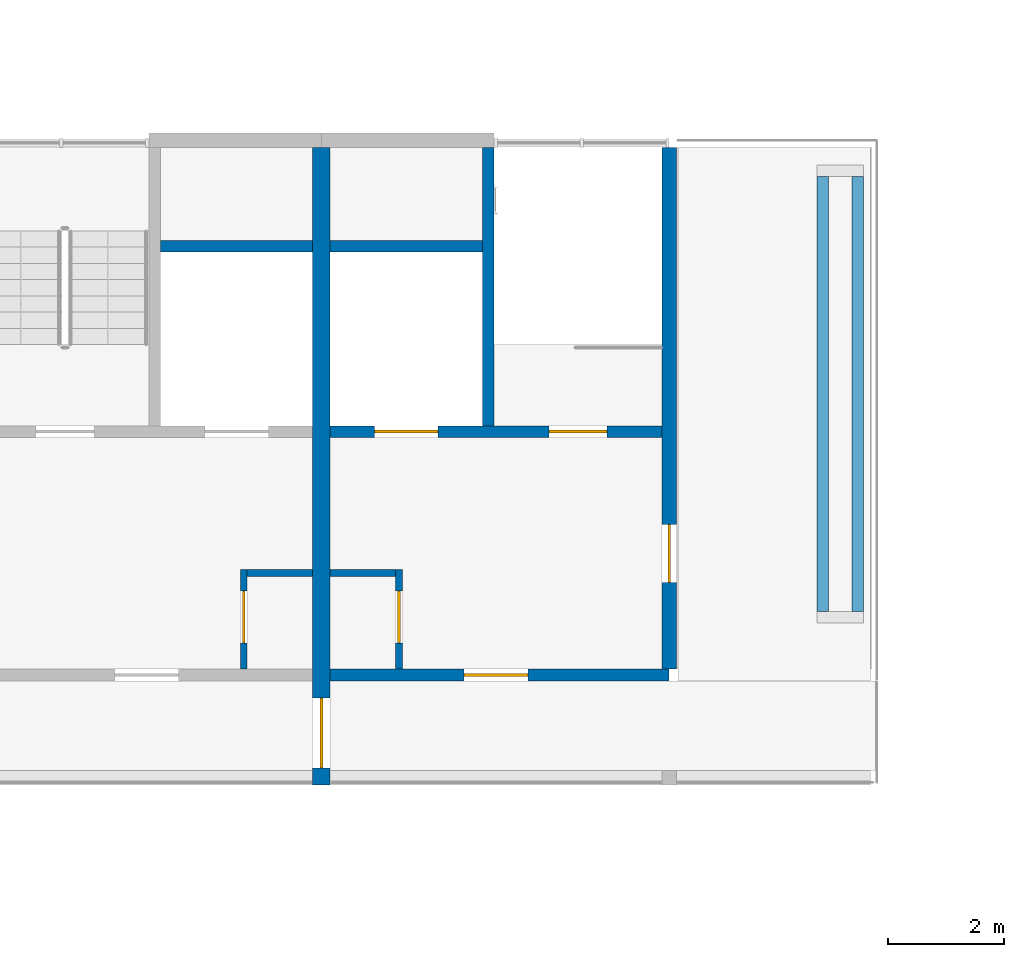
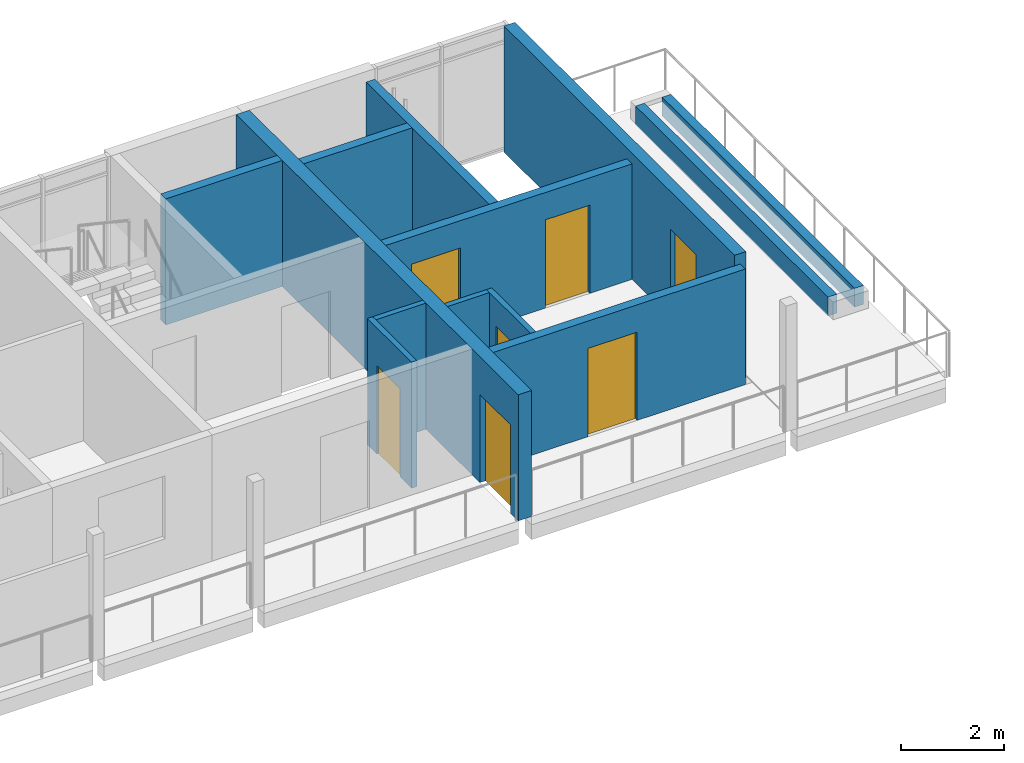
# One storey, part 58 of 87: 13 walls, 7 doors, 7 openings.
"""IFC4 building model written with IfcOpenShell, lengths in metres."""

import ifcopenshell
import ifcopenshell.guid

model = None  # the IFC model being written
_history = None  # IfcOwnerHistory: only IFC2X3 demands one
_inside = {}  # id of a spatial element -> (the spatial element, [elements in it])
_under = {}  # id of a project, library or spatial element -> (it, [spatial elements below it])
_declared = {}  # id of a project -> (the project, [libraries it declares])
_typed = {}  # id of a type object -> (the type object, [elements of that type])
_made_of = {}  # id of a material, layer set ... -> (it, [elements and type objects made of it])


def new_model(schema):
    """Start an empty IFC model of exactly this schema.

    Asked for "IFC4X3", IfcOpenShell would pick the latest addendum, in which some entities
    have other attributes; the version numbers below select the first issue.
    IFC2X3 requires an IfcOwnerHistory on every rooted entity: one is made here for all.
    """
    global model, _history
    if schema == "IFC4X3":
        model = ifcopenshell.file(schema_version=(4, 3, 0, 0))
    else:
        model = ifcopenshell.file(schema=schema)
    _inside.clear()
    _under.clear()
    _declared.clear()
    _typed.clear()
    _made_of.clear()
    _history = None
    if model.schema == "IFC2X3":
        org = make("IfcOrganization", Name="unknown")
        user = make(
            "IfcPersonAndOrganization",
            ThePerson=make("IfcPerson", FamilyName="unknown"),
            TheOrganization=org,
        )
        app = make(
            "IfcApplication",
            ApplicationDeveloper=org,
            Version="unknown",
            ApplicationFullName="unknown",
            ApplicationIdentifier="unknown",
        )
        _history = make(
            "IfcOwnerHistory",
            OwningUser=user,
            OwningApplication=app,
            ChangeAction="ADDED",
            CreationDate=0,
        )
    return model


def make(cls, **values):
    """One entity of the class cls with the attributes given. An attribute that is None is left unset."""
    return model.create_entity(
        cls, **{name: value for name, value in values.items() if value is not None}
    )


def rooted(cls, **values):
    """An entity with a GlobalId (a new one), such as an element, a storey or a relation."""
    return make(cls, GlobalId=ifcopenshell.guid.new(), OwnerHistory=_history, **values)


def si_unit(unit_type, name, prefix=None):
    """IfcSIUnit, for example si_unit("LENGTHUNIT", "METRE", prefix="MILLI")."""
    return make("IfcSIUnit", UnitType=unit_type, Prefix=prefix, Name=name)


def assignment(units):
    """IfcUnitAssignment: the units of a project."""
    return None if units is None else make("IfcUnitAssignment", Units=units)


def point(xyz):
    """IfcCartesianPoint."""
    return None if xyz is None else make("IfcCartesianPoint", Coordinates=xyz)


def direction(xyz):
    """IfcDirection."""
    return None if xyz is None else make("IfcDirection", DirectionRatios=xyz)


def frame(location, z_axis=None, x_axis=None):
    """IfcAxis2Placement3D, a coordinate frame: its origin and axes. An axis left out is left unset."""
    return make(
        "IfcAxis2Placement3D",
        Location=point(location),
        Axis=direction(z_axis),
        RefDirection=direction(x_axis),
    )


def frame_2d(location, x_axis=None):
    """IfcAxis2Placement2D, a coordinate frame in the plane: its origin and x axis."""
    return make(
        "IfcAxis2Placement2D", Location=point(location), RefDirection=direction(x_axis)
    )


def origin():
    """The frame at (0, 0, 0) with its axes left unset."""
    return frame((0.0, 0.0, 0.0))


def place(relative_to, where):
    """IfcLocalPlacement: puts the frame where relative to a parent placement (None: the world)."""
    return make(
        "IfcLocalPlacement", PlacementRelTo=relative_to, RelativePlacement=where
    )


def context(
    kind, dimensions, precision=None, world=None, true_north=None, identifier=None
):
    """IfcGeometricRepresentationContext, for example the 3D "Model" context."""
    return make(
        "IfcGeometricRepresentationContext",
        ContextIdentifier=identifier,
        ContextType=kind,
        CoordinateSpaceDimension=dimensions,
        Precision=precision,
        WorldCoordinateSystem=world,
        TrueNorth=true_north,
    )


def subcontext(parent, identifier, kind, view, scale=None):
    """IfcGeometricRepresentationSubContext, for example "Body" below "Model"."""
    return make(
        "IfcGeometricRepresentationSubContext",
        ContextIdentifier=identifier,
        ContextType=kind,
        ParentContext=parent,
        TargetScale=scale,
        TargetView=view,
    )


def project(units=None, contexts=None):
    """IfcProject with its units and contexts."""
    return rooted(
        "IfcProject",
        Name="project",
        RepresentationContexts=contexts,
        UnitsInContext=assignment(units),
    )


def spatial(cls, under=None, at=None, **own):
    """A site, building, storey or space (cls), placed at a placement, below another one or the project."""
    s = rooted(cls, ObjectPlacement=at, **own)
    if under is not None:
        _under.setdefault(under.id(), (under, []))[1].append(s)
    return s


def profile(cls, at=None, kind="AREA", **sizes):
    """A parametric profile (cls). Its sizes go by their IFC names, for example OverallWidth=200.0."""
    return make(cls, ProfileType=kind, Position=at, **sizes)


def rectangle(**sizes):
    """IfcRectangleProfileDef."""
    return profile("IfcRectangleProfileDef", **sizes)


def extrude(swept, where, along, depth):
    """IfcExtrudedAreaSolid: the profile swept, set in the frame where, extruded along a direction by depth."""
    return make(
        "IfcExtrudedAreaSolid",
        SweptArea=swept,
        Position=where,
        ExtrudedDirection=direction(along),
        Depth=depth,
    )


def shape(context_of_items, identifier, shape_type, items):
    """IfcShapeRepresentation: the items that make up one representation, for example the "Body"."""
    return make(
        "IfcShapeRepresentation",
        ContextOfItems=context_of_items,
        RepresentationIdentifier=identifier,
        RepresentationType=shape_type,
        Items=items,
    )


def material(Name=None, Category=None):
    """IfcMaterial."""
    return make("IfcMaterial", Name=Name, Category=Category)


def layer(
    of_material, thickness, ventilated=None, Name=None, Category=None, Priority=None
):
    """IfcMaterialLayer: one layer of a wall or slab, of a material (None: an air gap)."""
    return make(
        "IfcMaterialLayer",
        Material=of_material,
        LayerThickness=thickness,
        IsVentilated=ventilated,
        Name=Name,
        Category=Category,
        Priority=Priority,
    )


def layer_set(layers, Name=None):
    """IfcMaterialLayerSet."""
    return make("IfcMaterialLayerSet", MaterialLayers=layers, LayerSetName=Name)


def made_of(thing, what):
    """Note that an element or type object is made of a material, layer set ...; save() writes the relation."""
    if what is not None:
        _made_of.setdefault(what.id(), (what, []))[1].append(thing)
    return thing


def type_object(cls, material=None, **own):
    """A type object (cls), such as IfcWallType, which elements share."""
    return made_of(rooted(cls, **own), material)


def element(
    cls,
    number,
    at=None,
    inside=None,
    cuts=None,
    type_object=None,
    material=None,
    context=None,
    identifier="Body",
    shape_type=None,
    held_by="IfcProductDefinitionShape",
    body=None,
    shapes=None,
    **own,
):
    """One element of the class cls, such as IfcWall. Its Tag is "e" and its number.

    at: its placement. inside: the storey or other place that contains it. cuts: it is an
    opening in that element (IfcRelVoidsElement). A single representation is given by context,
    identifier, shape_type and body (its items); several are given by shapes. held_by: the class
    of the entity that holds the representations. save() writes the other relations.
    """
    e = rooted(cls, Tag="e%d" % number, ObjectPlacement=at, **own)
    if body is not None:
        shapes = [shape(context, identifier, shape_type, body)]
    if shapes is not None:
        e.Representation = make(held_by, Representations=shapes)
    if inside is not None:
        _inside.setdefault(inside.id(), (inside, []))[1].append(e)
    if cuts is not None:
        rooted(
            "IfcRelVoidsElement", RelatingBuildingElement=cuts, RelatedOpeningElement=e
        )
    if type_object is not None:
        _typed.setdefault(type_object.id(), (type_object, []))[1].append(e)
    return made_of(e, material)


def fill(opening, filler):
    """IfcRelFillsElement: the door or window that sits in an opening."""
    return rooted(
        "IfcRelFillsElement",
        RelatingOpeningElement=opening,
        RelatedBuildingElement=filler,
    )


def aggregate(whole, parts):
    """IfcRelAggregates: a whole, such as a stair, and the parts it consists of."""
    return rooted("IfcRelAggregates", RelatingObject=whole, RelatedObjects=parts)


def save(model, path):
    """Write the relations noted so far, then the file.

    IfcRelAggregates (storeys below a building ...), IfcRelContainedInSpatialStructure (elements
    in a storey), IfcRelDefinesByType, IfcRelAssociatesMaterial and IfcRelDeclares: one each for
    every whole, place, type object, material and project.
    """
    for whole, parts in _under.values():
        aggregate(whole, parts)
    for where, things in _inside.values():
        rooted(
            "IfcRelContainedInSpatialStructure",
            RelatedElements=things,
            RelatingStructure=where,
        )
    for kind, things in _typed.values():
        rooted("IfcRelDefinesByType", RelatedObjects=things, RelatingType=kind)
    for what, things in _made_of.values():
        rooted("IfcRelAssociatesMaterial", RelatedObjects=things, RelatingMaterial=what)
    for by, libraries in _declared.values():
        rooted("IfcRelDeclares", RelatingContext=by, RelatedDefinitions=libraries)
    model.write(path)


model = new_model("IFC4")

# Units and contexts
model_context = context("Model", 3, precision=1e-05, world=origin(), true_north=direction((0.0, 1.0)))
body_context = subcontext(model_context, "Body", "Model", "MODEL_VIEW")
ifc_project = project(units=[si_unit("LENGTHUNIT", "METRE"), si_unit("AREAUNIT", "SQUARE_METRE"), si_unit("VOLUMEUNIT", "CUBIC_METRE"), si_unit("PLANEANGLEUNIT", "RADIAN"), si_unit("MASSUNIT", "GRAM", prefix="KILO")], contexts=[model_context])

# Site, building, storey
site_placement = place(None, origin())
site = spatial("IfcSite", under=ifc_project, at=site_placement, CompositionType="ELEMENT")
building_placement = place(site_placement, origin())
building = spatial("IfcBuilding", under=site, at=building_placement, Name="Ridgestep Commons", CompositionType="ELEMENT")
storey_placement = place(building_placement, frame((0.0, 0.0, 27.0)))
storey = spatial("IfcBuildingStorey", under=building, at=storey_placement, Name="L09", CompositionType="ELEMENT", Elevation=27.0)

# Wall, opening, door
ifc_material_1 = material(Name="Concrete C30/37", Category="concrete")
ifc_layer_1 = layer(ifc_material_1, 0.199951171875)
ifc_layer_set_1 = layer_set([ifc_layer_1], Name="Core south wall 200")
wall_type_1 = type_object("IfcWallType", Name="Core south wall 200", PredefinedType="SHEAR", material=ifc_layer_set_1)
wall_1_placement = place(storey_placement, frame((230.949951171875, 67.89990234375, 0.0), z_axis=(0.0, 0.0, 1.0), x_axis=(1.0, 0.0, 0.0)))
wall_1 = element("IfcWall", 1, at=wall_1_placement, inside=storey, type_object=wall_type_1, Name="Core south wall C6C L09", PredefinedType="SHEAR", context=body_context, shape_type="SweptSolid", body=[
    extrude(rectangle(XDim=5.85009765625, YDim=0.199951171875, at=frame_2d((2.925048828125, 0.0))), origin(), (0.0, 0.0, 1.0), 2.75),
])
opening_1_placement = place(wall_1_placement, frame((2.3125, 0.0, 0.0)))
opening_1 = element("IfcOpeningElement", 2, at=opening_1_placement, cuts=wall_1, Name="Opening C6C/09/1", PredefinedType="OPENING", context=body_context, shape_type="SweptSolid", body=[
    extrude(rectangle(XDim=1.10009765625, YDim=2.10009765625, at=frame_2d((0.550048828125, 1.050048828125))), frame((0.0, 0.10986328125, 0.0), z_axis=(0.0, -1.0, 0.0), x_axis=(1.0, 0.0, 0.0)), (0.0, 0.0, 1.0), 0.219970703125),
])
ifc_material_2 = material(Name="Steel fire door", Category="steel")
door_type_1 = type_object("IfcDoorType", Name="Lobby door 1100 x 2100 FD60", OperationType="NOTDEFINED", PredefinedType="DOOR", material=ifc_material_2)
door_1_placement = place(opening_1_placement, origin())
door_1 = element("IfcDoor", 3, at=door_1_placement, inside=storey, type_object=door_type_1, Name="Lobby door C6C/09/1", OperationType="SINGLE_SWING_LEFT", OverallHeight=2.10009765625, OverallWidth=1.10009765625, PredefinedType="DOOR", context=body_context, shape_type="SweptSolid", body=[
    extrude(rectangle(XDim=1.10009765625, YDim=2.10009765625, at=frame_2d((0.550048828125, 1.050048828125))), frame((0.0, 0.02490234375, 0.0), z_axis=(0.0, -1.0, 0.0), x_axis=(1.0, 0.0, 0.0)), (0.0, 0.0, 1.0), 0.050048828125),
])
fill(opening_1, door_1)

ifc_material_3 = material(Name="Concrete C30/37", Category="concrete")
ifc_layer_2 = layer(ifc_material_3, 0.1201171875)
ifc_layer_set_2 = layer_set([ifc_layer_2], Name="Core wall 120")
wall_type_2 = type_object("IfcWallType", Name="Core wall 120", PredefinedType="SHEAR", material=ifc_layer_set_2)
wall_2_placement = place(storey_placement, frame((229.4599609375, 68.0, 0.0), z_axis=(0.0, 0.0, 1.0), x_axis=(0.0, 1.0, 0.0)))
wall_2 = element("IfcWall", 4, at=wall_2_placement, inside=storey, type_object=wall_type_2, Name="Core riser w wall C5C L09", PredefinedType="SHEAR", context=body_context, shape_type="SweptSolid", body=[
    extrude(rectangle(XDim=1.719970703125, YDim=0.1201171875, at=frame_2d((0.85986328125, 0.0))), origin(), (0.0, 0.0, 1.0), 3.0),
])
opening_2_placement = place(wall_2_placement, frame((0.449951171875, 0.0, 0.0)))
opening_2 = element("IfcOpeningElement", 5, at=opening_2_placement, cuts=wall_2, Name="Opening C5C/09/4", PredefinedType="OPENING", context=body_context, shape_type="SweptSolid", body=[
    extrude(rectangle(XDim=0.89990234375, YDim=2.10009765625, at=frame_2d((0.449951171875, 1.050048828125))), frame((0.0, 0.070068359375, 0.0), z_axis=(0.0, -1.0, 0.0), x_axis=(1.0, 0.0, 0.0)), (0.0, 0.0, 1.0), 0.14013671875),
])
ifc_material_4 = material(Name="Steel fire door", Category="steel")
door_type_2 = type_object("IfcDoorType", Name="Riser door 900 x 2100 FD60", OperationType="NOTDEFINED", PredefinedType="DOOR", material=ifc_material_4)
door_2_placement = place(opening_2_placement, origin())
door_2 = element("IfcDoor", 6, at=door_2_placement, inside=storey, type_object=door_type_2, Name="Riser door C5C/09/4", OperationType="SINGLE_SWING_LEFT", OverallHeight=2.10009765625, OverallWidth=0.89990234375, PredefinedType="DOOR", context=body_context, shape_type="SweptSolid", body=[
    extrude(rectangle(XDim=0.89990234375, YDim=2.10009765625, at=frame_2d((0.449951171875, 1.050048828125))), frame((0.0, 0.02490234375, 0.0), z_axis=(0.0, -1.0, 0.0), x_axis=(1.0, 0.0, 0.0)), (0.0, 0.0, 1.0), 0.050048828125),
])
fill(opening_2, door_2)

# Wall
wall_3_placement = place(storey_placement, frame((229.52001953125, 69.659912109375, 0.0), z_axis=(0.0, 0.0, 1.0), x_axis=(1.0, 0.0, 0.0)))
element("IfcWall", 7, at=wall_3_placement, inside=storey, type_object=wall_type_2, Name="Core riser n wall C5C L09", PredefinedType="SHEAR", context=body_context, shape_type="SweptSolid", body=[
    extrude(rectangle(XDim=1.1298828125, YDim=0.1201171875, at=frame_2d((0.56494140625, 0.0))), origin(), (0.0, 0.0, 1.0), 3.0),
])

# Wall, opening, door
wall_4_placement = place(storey_placement, frame((232.139892578125, 68.0, 0.0), z_axis=(0.0, 0.0, 1.0), x_axis=(0.0, 1.0, 0.0)))
wall_4 = element("IfcWall", 8, at=wall_4_placement, inside=storey, type_object=wall_type_2, Name="Core riser w wall C6C L09", PredefinedType="SHEAR", context=body_context, shape_type="SweptSolid", body=[
    extrude(rectangle(XDim=1.719970703125, YDim=0.1201171875, at=frame_2d((0.85986328125, 0.0))), origin(), (0.0, 0.0, 1.0), 2.75),
])
opening_3_placement = place(wall_4_placement, frame((0.449951171875, 0.0, 0.0)))
opening_3 = element("IfcOpeningElement", 9, at=opening_3_placement, cuts=wall_4, Name="Opening C6C/09/4", PredefinedType="OPENING", context=body_context, shape_type="SweptSolid", body=[
    extrude(rectangle(XDim=0.89990234375, YDim=2.10009765625, at=frame_2d((0.449951171875, 1.050048828125))), frame((0.0, 0.070068359375, 0.0), z_axis=(0.0, -1.0, 0.0), x_axis=(1.0, 0.0, 0.0)), (0.0, 0.0, 1.0), 0.14013671875),
])
door_3_placement = place(opening_3_placement, origin())
door_3 = element("IfcDoor", 10, at=door_3_placement, inside=storey, type_object=door_type_2, Name="Riser door C6C/09/4", OperationType="SINGLE_SWING_RIGHT", OverallHeight=2.10009765625, OverallWidth=0.89990234375, PredefinedType="DOOR", context=body_context, shape_type="SweptSolid", body=[
    extrude(rectangle(XDim=0.89990234375, YDim=2.10009765625, at=frame_2d((0.449951171875, 1.050048828125))), frame((0.0, 0.02490234375, 0.0), z_axis=(0.0, -1.0, 0.0), x_axis=(1.0, 0.0, 0.0)), (0.0, 0.0, 1.0), 0.050048828125),
])
fill(opening_3, door_3)

# Walls
wall_5_placement = place(storey_placement, frame((230.949951171875, 69.659912109375, 0.0), z_axis=(0.0, 0.0, 1.0), x_axis=(1.0, 0.0, 0.0)))
element("IfcWall", 11, at=wall_5_placement, inside=storey, type_object=wall_type_2, Name="Core riser n wall C6C L09", PredefinedType="SHEAR", context=body_context, shape_type="SweptSolid", body=[
    extrude(rectangle(XDim=1.130126953125, YDim=0.1201171875, at=frame_2d((0.56494140625, 0.0))), origin(), (0.0, 0.0, 1.0), 2.75),
])
ifc_material_5 = material(Name="Concrete C30/37", Category="concrete")
ifc_layer_3 = layer(ifc_material_5, 0.199951171875)
ifc_layer_set_3 = layer_set([ifc_layer_3], Name="Core wall 200")
wall_type_3 = type_object("IfcWallType", Name="Core wall 200", PredefinedType="SHEAR", material=ifc_layer_set_3)
wall_6_placement = place(storey_placement, frame((228.02490234375, 75.300048828125, 0.0), z_axis=(0.0, 0.0, 1.0), x_axis=(1.0, 0.0, 0.0)))
element("IfcWall", 12, at=wall_6_placement, inside=storey, type_object=wall_type_3, Name="Core duct wall C5C L09", PredefinedType="SHEAR", context=body_context, shape_type="SweptSolid", body=[
    extrude(rectangle(XDim=2.625, YDim=0.199951171875, at=frame_2d((1.3125, 0.0))), origin(), (0.0, 0.0, 1.0), 3.0),
])

# Wall, openings, doors
wall_7_placement = place(storey_placement, frame((230.949951171875, 72.10009765625, 0.0), z_axis=(0.0, 0.0, 1.0), x_axis=(1.0, 0.0, 0.0)))
wall_7 = element("IfcWall", 13, at=wall_7_placement, inside=storey, type_object=wall_type_3, Name="Core lobby wall C6C L09", PredefinedType="SHEAR", context=body_context, shape_type="SweptSolid", body=[
    extrude(rectangle(XDim=5.72509765625, YDim=0.199951171875, at=frame_2d((2.862548828125, 0.0))), origin(), (0.0, 0.0, 1.0), 2.75),
])
opening_4_placement = place(wall_7_placement, frame((3.77490234375, 0.0, 0.0)))
opening_4 = element("IfcOpeningElement", 14, at=opening_4_placement, cuts=wall_7, Name="Opening C6C/09/2", PredefinedType="OPENING", context=body_context, shape_type="SweptSolid", body=[
    extrude(rectangle(XDim=1.0, YDim=2.10009765625, at=frame_2d((0.5, 1.050048828125))), frame((0.0, 0.10986328125, 0.0), z_axis=(0.0, -1.0, 0.0), x_axis=(1.0, 0.0, 0.0)), (0.0, 0.0, 1.0), 0.219970703125),
])
opening_5_placement = place(wall_7_placement, frame((0.762451171875, 0.0, 0.0)))
opening_5 = element("IfcOpeningElement", 15, at=opening_5_placement, cuts=wall_7, Name="Opening C6C/09/3", PredefinedType="OPENING", context=body_context, shape_type="SweptSolid", body=[
    extrude(rectangle(XDim=1.10009765625, YDim=2.10009765625, at=frame_2d((0.550048828125, 1.050048828125))), frame((0.0, 0.10986328125, 0.0), z_axis=(0.0, -1.0, 0.0), x_axis=(1.0, 0.0, 0.0)), (0.0, 0.0, 1.0), 0.219970703125),
])
ifc_material_6 = material(Name="Stainless steel", Category="steel")
door_type_3 = type_object("IfcDoorType", Name="Lift landing door 1100 x 2100 FD60", OperationType="DOUBLE_DOOR_SLIDING", PredefinedType="DOOR", material=ifc_material_6)
door_4_placement = place(opening_5_placement, origin())
door_4 = element("IfcDoor", 16, at=door_4_placement, inside=storey, type_object=door_type_3, Name="Landing door LD C6C L09", OperationType="DOUBLE_DOOR_SLIDING", OverallHeight=2.10009765625, OverallWidth=1.10009765625, PredefinedType="DOOR", context=body_context, shape_type="SweptSolid", body=[
    extrude(rectangle(XDim=1.10009765625, YDim=2.10009765625, at=frame_2d((0.550048828125, 1.050048828125))), frame((0.0, 0.02490234375, 0.0), z_axis=(0.0, -1.0, 0.0), x_axis=(1.0, 0.0, 0.0)), (0.0, 0.0, 1.0), 0.050048828125),
])
fill(opening_5, door_4)
ifc_material_7 = material(Name="Steel fire door", Category="steel")
door_type_4 = type_object("IfcDoorType", Name="Stair door 1000 x 2100 FD60", OperationType="NOTDEFINED", PredefinedType="DOOR", material=ifc_material_7)
door_5_placement = place(opening_4_placement, origin())
door_5 = element("IfcDoor", 17, at=door_5_placement, inside=storey, type_object=door_type_4, Name="Stair door C6C/09/2", OperationType="SINGLE_SWING_RIGHT", OverallHeight=2.10009765625, OverallWidth=1.0, PredefinedType="DOOR", context=body_context, shape_type="SweptSolid", body=[
    extrude(rectangle(XDim=1.0, YDim=2.10009765625, at=frame_2d((0.5, 1.050048828125))), frame((0.0, 0.02490234375, 0.0), z_axis=(0.0, -1.0, 0.0), x_axis=(1.0, 0.0, 0.0)), (0.0, 0.0, 1.0), 0.050048828125),
])
fill(opening_4, door_5)

# Walls
wall_8_placement = place(storey_placement, frame((233.675048828125, 72.199951171875, 0.0), z_axis=(0.0, 0.0, 1.0), x_axis=(0.0, 1.0, 0.0)))
element("IfcWall", 18, at=wall_8_placement, inside=storey, type_object=wall_type_3, Name="Core stair wall C6C L09", PredefinedType="SHEAR", context=body_context, shape_type="SweptSolid", body=[
    extrude(rectangle(XDim=4.800048828125, YDim=0.199951171875, at=frame_2d((2.39990234375, 0.0))), origin(), (0.0, 0.0, 1.0), 2.75),
])
wall_9_placement = place(storey_placement, frame((230.949951171875, 75.300048828125, 0.0), z_axis=(0.0, 0.0, 1.0), x_axis=(1.0, 0.0, 0.0)))
element("IfcWall", 19, at=wall_9_placement, inside=storey, type_object=wall_type_3, Name="Core duct wall C6C L09", PredefinedType="SHEAR", context=body_context, shape_type="SweptSolid", body=[
    extrude(rectangle(XDim=2.625, YDim=0.199951171875, at=frame_2d((1.3125, 0.0))), origin(), (0.0, 0.0, 1.0), 2.75),
])

# Wall, opening, door
ifc_material_8 = material(Name="Precast concrete C40/50", Category="concrete")
ifc_layer_4 = layer(ifc_material_8, 0.300048828125)
ifc_layer_set_4 = layer_set([ifc_layer_4], Name="Division wall 300")
wall_type_4 = type_object("IfcWallType", Name="Division wall 300", PredefinedType="SHEAR", material=ifc_layer_set_4)
wall_10_placement = place(storey_placement, frame((230.800048828125, 66.0, 0.0), z_axis=(0.0, 0.0, 1.0), x_axis=(0.0, 1.0, 0.0)))
wall_10 = element("IfcWall", 20, at=wall_10_placement, inside=storey, type_object=wall_type_4, Name="Cross wall C-09-2308", PredefinedType="SHEAR", context=body_context, shape_type="SweptSolid", body=[
    extrude(rectangle(XDim=11.0, YDim=0.300048828125, at=frame_2d((5.5, 0.0))), origin(), (0.0, 0.0, 1.0), 3.0),
])
opening_6_placement = place(wall_10_placement, frame((0.300048828125, 0.0, 0.0)))
opening_6 = element("IfcOpeningElement", 21, at=opening_6_placement, cuts=wall_10, Name="Opening C/09/G2308", PredefinedType="OPENING", context=body_context, shape_type="SweptSolid", body=[
    extrude(rectangle(XDim=1.199951171875, YDim=2.10009765625, at=frame_2d((0.60009765625, 1.050048828125))), frame((0.0, 0.159912109375, 0.0), z_axis=(0.0, -1.0, 0.0), x_axis=(1.0, 0.0, 0.0)), (0.0, 0.0, 1.0), 0.320068359375),
])
ifc_material_9 = material(Name="Steel fire door", Category="steel")
door_type_5 = type_object("IfcDoorType", Name="Division fire door 1200 x 2100 EI 240", OperationType="DOUBLE_DOOR_SINGLE_SWING", PredefinedType="DOOR", material=ifc_material_9)
door_6_placement = place(opening_6_placement, origin())
door_6 = element("IfcDoor", 22, at=door_6_placement, inside=storey, type_object=door_type_5, Name="Division fire door C/09/G2308", OperationType="DOUBLE_DOOR_SINGLE_SWING", OverallHeight=2.10009765625, OverallWidth=1.199951171875, PredefinedType="DOOR", context=body_context, shape_type="SweptSolid", body=[
    extrude(rectangle(XDim=1.199951171875, YDim=2.10009765625, at=frame_2d((0.60009765625, 1.050048828125))), frame((0.0, 0.02490234375, 0.0), z_axis=(0.0, -1.0, 0.0), x_axis=(1.0, 0.0, 0.0)), (0.0, 0.0, 1.0), 0.050048828125),
])
fill(opening_6, door_6)

ifc_material_10 = material(Name="Concrete C30/37", Category="concrete")
ifc_layer_5 = layer(ifc_material_10, 0.25)
ifc_layer_set_5 = layer_set([ifc_layer_5], Name="Exposed core cross wall 250")
wall_type_5 = type_object("IfcWallType", Name="Exposed core cross wall 250", PredefinedType="SHEAR", material=ifc_layer_set_5)
wall_11_placement = place(storey_placement, frame((236.800048828125, 68.0, 0.0), z_axis=(0.0, 0.0, 1.0), x_axis=(0.0, 1.0, 0.0)))
wall_11 = element("IfcWall", 23, at=wall_11_placement, inside=storey, type_object=wall_type_5, Name="Cross wall C-09-2368", PredefinedType="SHEAR", context=body_context, shape_type="SweptSolid", body=[
    extrude(rectangle(XDim=9.0, YDim=0.25, at=frame_2d((4.5, 0.0))), origin(), (0.0, 0.0, 1.0), 3.0),
])
opening_7_placement = place(wall_11_placement, frame((1.5, 0.0, 0.0)))
opening_7 = element("IfcOpeningElement", 24, at=opening_7_placement, cuts=wall_11, Name="Opening C6C/09/T", PredefinedType="OPENING", context=body_context, shape_type="SweptSolid", body=[
    extrude(rectangle(XDim=1.0, YDim=2.10009765625, at=frame_2d((0.5, 1.050048828125))), frame((0.0, 0.135009765625, 0.0), z_axis=(0.0, -1.0, 0.0), x_axis=(1.0, 0.0, 0.0)), (0.0, 0.0, 1.0), 0.27001953125),
])
ifc_material_11 = material(Name="Aluminium and glass", Category="aluminium")
door_type_6 = type_object("IfcDoorType", Name="Terrace door 1000 x 2100 FD60", OperationType="NOTDEFINED", PredefinedType="DOOR", material=ifc_material_11)
door_7_placement = place(opening_7_placement, origin())
door_7 = element("IfcDoor", 25, at=door_7_placement, inside=storey, type_object=door_type_6, Name="Terrace door C6C/09/T", OperationType="SINGLE_SWING_RIGHT", OverallHeight=2.10009765625, OverallWidth=1.0, PredefinedType="DOOR", context=body_context, shape_type="SweptSolid", body=[
    extrude(rectangle(XDim=1.0, YDim=2.10009765625, at=frame_2d((0.5, 1.050048828125))), frame((0.0, 0.02490234375, 0.0), z_axis=(0.0, -1.0, 0.0), x_axis=(1.0, 0.0, 0.0)), (0.0, 0.0, 1.0), 0.050048828125),
])
fill(opening_7, door_7)

# Walls
ifc_material_12 = material(Name="Facing brick", Category="masonry")
ifc_layer_6 = layer(ifc_material_12, 0.199951171875)
ifc_layer_set_6 = layer_set([ifc_layer_6], Name="Planter wall 200")
wall_type_6 = type_object("IfcWallType", Name="Planter wall 200", PredefinedType="SOLIDWALL", material=ifc_layer_set_6)
for number, where, z_axis, x_axis, name in (
    (26, (239.449951171875, 69.0, 0.010009765625), (0.0, 0.0, 1.0), (0.0, 1.0, 0.0), "Planter wall C6R3W"),
    (27, (240.050048828125, 69.0, 0.010009765625), (0.0, 0.0, 1.0), (0.0, 1.0, 0.0), "Planter wall C6R3E"),
):
    element("IfcWall", number, at=place(storey_placement, frame(where, z_axis=z_axis, x_axis=x_axis)), inside=storey, type_object=wall_type_6, Name=name, PredefinedType="SOLIDWALL", context=body_context, shape_type="SweptSolid", body=[
        extrude(rectangle(XDim=7.5, YDim=0.199951171875, at=frame_2d((3.75, 0.0))), origin(), (0.0, 0.0, 1.0), 0.449951171875),
    ])

save(model, "model.ifc")
